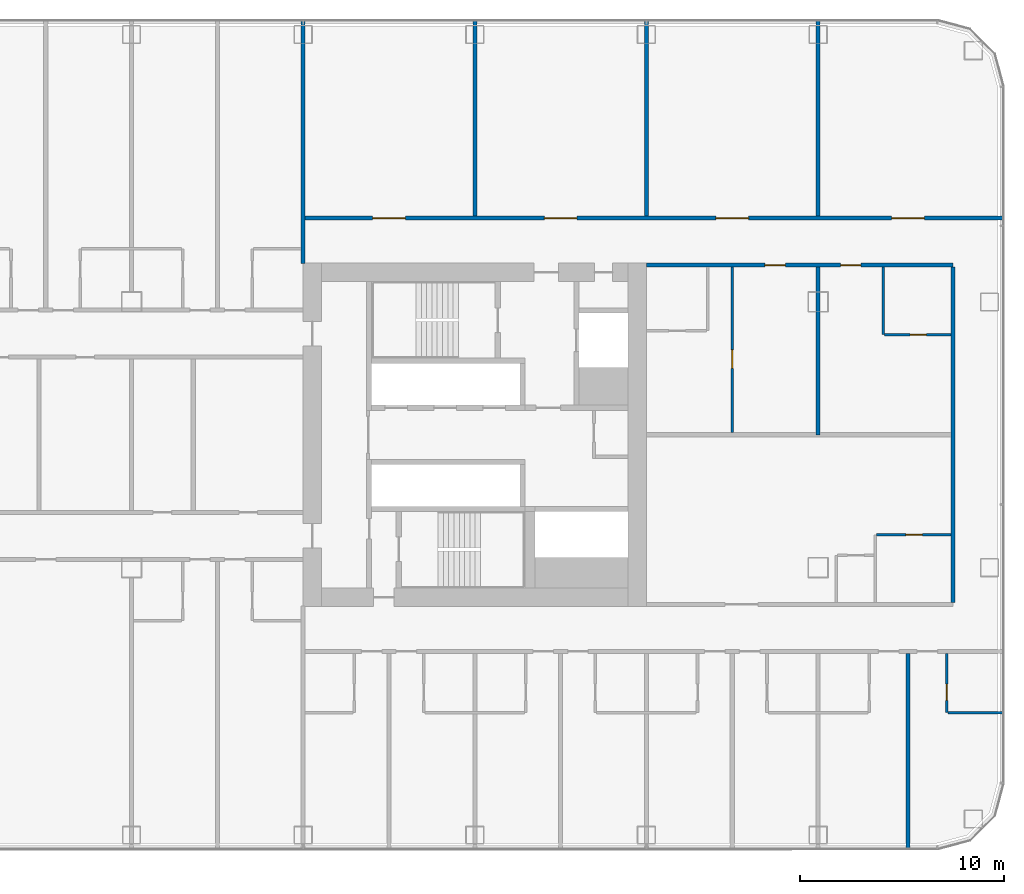
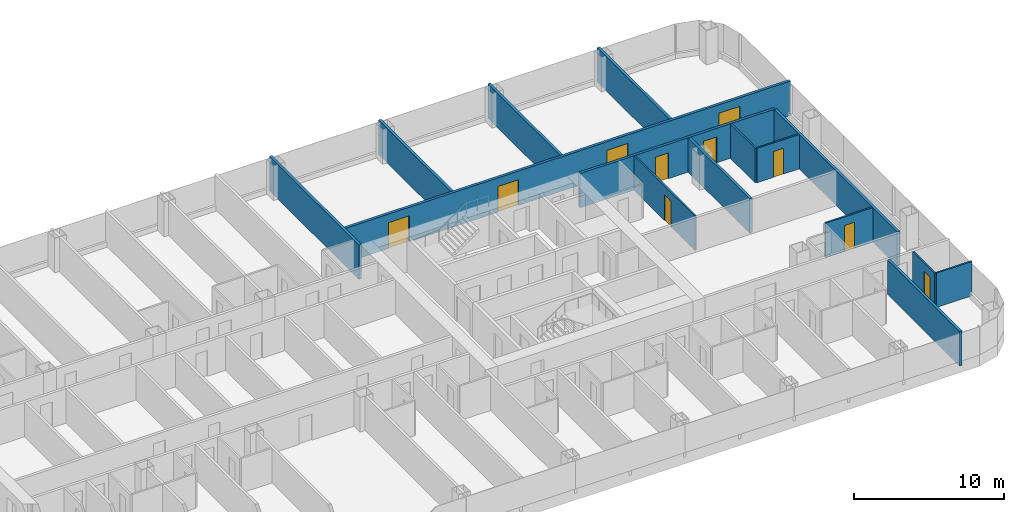
# One storey, part 20 of 29: 15 walls, 10 doors, 10 openings.
"""IFC4 building model written with IfcOpenShell, lengths in metres."""

from ifc_helpers import new_model, si_unit, direction, frame, frame_2d, origin, place, context, subcontext, project, spatial, rectangle, extrude, material, layer, layer_set, type_object, element, fill, save


model = new_model("IFC4")

# Units and contexts
model_context = context("Model", 3, precision=1e-05, world=origin(), true_north=direction((0.0, 1.0)))
body_context = subcontext(model_context, "Body", "Model", "MODEL_VIEW")
ifc_project = project(units=[si_unit("LENGTHUNIT", "METRE"), si_unit("AREAUNIT", "SQUARE_METRE"), si_unit("VOLUMEUNIT", "CUBIC_METRE"), si_unit("PLANEANGLEUNIT", "RADIAN"), si_unit("MASSUNIT", "GRAM", prefix="KILO")], contexts=[model_context])

# Site, building, storey
site_placement = place(None, origin())
site = spatial("IfcSite", under=ifc_project, at=site_placement, CompositionType="ELEMENT")
building_placement = place(site_placement, origin())
building = spatial("IfcBuilding", under=site, at=building_placement, Name="Hakoniwa Tower and Hamabe Station Hall", CompositionType="ELEMENT")
storey_placement = place(building_placement, frame((0.0, 0.0, 23.0)))
storey = spatial("IfcBuildingStorey", under=building, at=storey_placement, Name="L05", CompositionType="ELEMENT", Elevation=23.0)

# Wall
ifc_material_1 = material(Name="Gypsum board partition", Category="gypsum")
ifc_layer_1 = layer(ifc_material_1, 0.125)
ifc_layer_set_1 = layer_set([ifc_layer_1], Name="Bathroom Partition 125")
wall_type_1 = type_object("IfcWallType", Name="Bathroom Partition 125", PredefinedType="PARTITIONING", material=ifc_layer_set_1)
wall_1_placement = place(storey_placement, frame((48.362548828125, -13.60009765625, 0.0), z_axis=(0.0, 0.0, 1.0), x_axis=(1.0, 0.0, 0.0)))
element("IfcWall", 1, at=wall_1_placement, inside=storey, type_object=wall_type_1, Name="GW-L05-010", PredefinedType="PARTITIONING", context=body_context, shape_type="SweptSolid", body=[
    extrude(rectangle(XDim=2.737548828125, YDim=0.125, at=frame_2d((1.36865234375, 0.0))), origin(), (0.0, 0.0, 1.0), 2.800048828125),
])

# Wall, opening, door
wall_2_placement = place(storey_placement, frame((44.862548828125, -4.89990234375, 0.0), z_axis=(0.0, 0.0, 1.0), x_axis=(1.0, 0.0, 0.0)))
wall_2 = element("IfcWall", 2, at=wall_2_placement, inside=storey, type_object=wall_type_1, Name="GW-L05-023", PredefinedType="PARTITIONING", context=body_context, shape_type="SweptSolid", body=[
    extrude(rectangle(XDim=3.637451171875, YDim=0.125, at=frame_2d((1.81884765625, 0.0))), origin(), (0.0, 0.0, 1.0), 2.800048828125),
])
opening_1_placement = place(wall_2_placement, frame((1.4375, 0.0, 0.0)))
opening_1 = element("IfcOpeningElement", 3, at=opening_1_placement, cuts=wall_2, Name="Opening GD-G1B0-29", PredefinedType="OPENING", context=body_context, shape_type="SweptSolid", body=[
    extrude(rectangle(XDim=0.800048828125, YDim=2.10009765625, at=frame_2d((0.39990234375, 1.050048828125))), frame((0.0, 0.072509765625, 0.0), z_axis=(0.0, -1.0, 0.0), x_axis=(1.0, 0.0, 0.0)), (0.0, 0.0, 1.0), 0.14501953125),
])
ifc_material_2 = material(Name="Timber door leaf", Category="wood")
door_type_1 = type_object("IfcDoorType", Name="Bathroom Door 800", OperationType="SINGLE_SWING_LEFT", PredefinedType="DOOR", material=ifc_material_2)
door_1_placement = place(opening_1_placement, origin())
door_1 = element("IfcDoor", 4, at=door_1_placement, inside=storey, type_object=door_type_1, Name="Door GD-G1B0-29", OperationType="SINGLE_SWING_LEFT", OverallHeight=2.10009765625, OverallWidth=0.800048828125, PredefinedType="DOOR", context=body_context, shape_type="SweptSolid", body=[
    extrude(rectangle(XDim=0.800048828125, YDim=2.10009765625, at=frame_2d((0.39990234375, 1.050048828125))), frame((0.0, 0.02490234375, 0.0), z_axis=(0.0, -1.0, 0.0), x_axis=(1.0, 0.0, 0.0)), (0.0, 0.0, 1.0), 0.050048828125),
])
fill(opening_1, door_1)

wall_3_placement = place(storey_placement, frame((45.262451171875, 4.89990234375, 0.0), z_axis=(0.0, 0.0, 1.0), x_axis=(1.0, 0.0, 0.0)))
wall_3 = element("IfcWall", 5, at=wall_3_placement, inside=storey, type_object=wall_type_1, Name="GW-L05-029", PredefinedType="PARTITIONING", context=body_context, shape_type="SweptSolid", body=[
    extrude(rectangle(XDim=3.237548828125, YDim=0.125, at=frame_2d((1.61865234375, 0.0))), origin(), (0.0, 0.0, 1.0), 2.800048828125),
])
opening_2_placement = place(wall_3_placement, frame((1.237548828125, 0.0, 0.0)))
opening_2 = element("IfcOpeningElement", 6, at=opening_2_placement, cuts=wall_3, Name="Opening GD-G1B0-39", PredefinedType="OPENING", context=body_context, shape_type="SweptSolid", body=[
    extrude(rectangle(XDim=0.800048828125, YDim=2.10009765625, at=frame_2d((0.39990234375, 1.050048828125))), frame((0.0, 0.072509765625, 0.0), z_axis=(0.0, -1.0, 0.0), x_axis=(1.0, 0.0, 0.0)), (0.0, 0.0, 1.0), 0.14501953125),
])
door_2_placement = place(opening_2_placement, origin())
door_2 = element("IfcDoor", 7, at=door_2_placement, inside=storey, type_object=door_type_1, Name="Door GD-G1B0-39", OperationType="SINGLE_SWING_LEFT", OverallHeight=2.10009765625, OverallWidth=0.800048828125, PredefinedType="DOOR", context=body_context, shape_type="SweptSolid", body=[
    extrude(rectangle(XDim=0.800048828125, YDim=2.10009765625, at=frame_2d((0.39990234375, 1.050048828125))), frame((0.0, 0.02490234375, 0.0), z_axis=(0.0, -1.0, 0.0), x_axis=(1.0, 0.0, 0.0)), (0.0, 0.0, 1.0), 0.050048828125),
])
fill(opening_2, door_2)

# Wall
wall_4_placement = place(storey_placement, frame((45.199951171875, 4.89990234375, 0.0), z_axis=(0.0, 0.0, 1.0), x_axis=(0.0, 1.0, 0.0)))
element("IfcWall", 8, at=wall_4_placement, inside=storey, type_object=wall_type_1, Name="GW-L05-136", PredefinedType="PARTITIONING", context=body_context, shape_type="SweptSolid", body=[
    extrude(rectangle(XDim=3.300048828125, YDim=0.125, at=frame_2d((1.64990234375, 0.0))), origin(), (0.0, 0.0, 1.0), 2.800048828125),
])

# Wall, opening, door
wall_5_placement = place(storey_placement, frame((48.300048828125, -13.60009765625, 0.0), z_axis=(0.0, 0.0, 1.0), x_axis=(0.0, 1.0, 0.0)))
wall_5 = element("IfcWall", 9, at=wall_5_placement, inside=storey, type_object=wall_type_1, Name="GW-L05-138", PredefinedType="PARTITIONING", context=body_context, shape_type="SweptSolid", body=[
    extrude(rectangle(XDim=2.900146484375, YDim=0.125, at=frame_2d((1.4501953125, 0.0))), origin(), (0.0, 0.0, 1.0), 2.800048828125),
])
opening_3_placement = place(wall_5_placement, frame((0.60009765625, 0.0, 0.0)))
opening_3 = element("IfcOpeningElement", 10, at=opening_3_placement, cuts=wall_5, Name="Opening GD-G1B0-98", PredefinedType="OPENING", context=body_context, shape_type="SweptSolid", body=[
    extrude(rectangle(XDim=0.800048828125, YDim=2.10009765625, at=frame_2d((0.39990234375, 1.050048828125))), frame((0.0, 0.072509765625, 0.0), z_axis=(0.0, -1.0, 0.0), x_axis=(1.0, 0.0, 0.0)), (0.0, 0.0, 1.0), 0.14501953125),
])
door_3_placement = place(opening_3_placement, origin())
door_3 = element("IfcDoor", 11, at=door_3_placement, inside=storey, type_object=door_type_1, Name="Door GD-G1B0-98", OperationType="SINGLE_SWING_LEFT", OverallHeight=2.10009765625, OverallWidth=0.800048828125, PredefinedType="DOOR", context=body_context, shape_type="SweptSolid", body=[
    extrude(rectangle(XDim=0.800048828125, YDim=2.10009765625, at=frame_2d((0.39990234375, 1.050048828125))), frame((0.0, 0.02490234375, 0.0), z_axis=(0.0, -1.0, 0.0), x_axis=(1.0, 0.0, 0.0)), (0.0, 0.0, 1.0), 0.050048828125),
])
fill(opening_3, door_3)

# Wall, openings, doors
ifc_material_3 = material(Name="Fire-rated gypsum board partition", Category="gypsum")
ifc_layer_2 = layer(ifc_material_3, 0.199951171875)
ifc_layer_set_2 = layer_set([ifc_layer_2], Name="Corridor Wall 200")
wall_type_2 = type_object("IfcWallType", Name="Corridor Wall 200", PredefinedType="PARTITIONING", material=ifc_layer_set_2)
wall_6_placement = place(storey_placement, frame((33.60009765625, 8.300048828125, 0.0), z_axis=(0.0, 0.0, 1.0), x_axis=(1.0, 0.0, 0.0)))
wall_6 = element("IfcWall", 12, at=wall_6_placement, inside=storey, type_object=wall_type_2, Name="GW-L05-034", PredefinedType="PARTITIONING", context=body_context, shape_type="SweptSolid", body=[
    extrude(rectangle(XDim=15.0, YDim=0.199951171875, at=frame_2d((7.5, 0.0))), origin(), (0.0, 0.0, 1.0), 2.800048828125),
])
opening_4_placement = place(wall_6_placement, frame((5.800048828125, 0.0, 0.0)))
opening_4 = element("IfcOpeningElement", 13, at=opening_4_placement, cuts=wall_6, Name="Opening GD-G1B0-51", PredefinedType="OPENING", context=body_context, shape_type="SweptSolid", body=[
    extrude(rectangle(XDim=1.0, YDim=2.10009765625, at=frame_2d((0.5, 1.050048828125))), frame((0.0, 0.10986328125, 0.0), z_axis=(0.0, -1.0, 0.0), x_axis=(1.0, 0.0, 0.0)), (0.0, 0.0, 1.0), 0.219970703125),
])
opening_5_placement = place(wall_6_placement, frame((9.5, 0.0, 0.0)))
opening_5 = element("IfcOpeningElement", 14, at=opening_5_placement, cuts=wall_6, Name="Opening GD-G1B0-52", PredefinedType="OPENING", context=body_context, shape_type="SweptSolid", body=[
    extrude(rectangle(XDim=1.0, YDim=2.10009765625, at=frame_2d((0.5, 1.050048828125))), frame((0.0, 0.10986328125, 0.0), z_axis=(0.0, -1.0, 0.0), x_axis=(1.0, 0.0, 0.0)), (0.0, 0.0, 1.0), 0.219970703125),
])
ifc_material_4 = material(Name="Timber door leaf", Category="wood")
door_type_2 = type_object("IfcDoorType", Name="Guest Entrance Door 1000", OperationType="SINGLE_SWING_LEFT", PredefinedType="DOOR", material=ifc_material_4)
door_4_placement = place(opening_4_placement, origin())
door_4 = element("IfcDoor", 15, at=door_4_placement, inside=storey, type_object=door_type_2, Name="Door GD-G1B0-51", OperationType="SINGLE_SWING_LEFT", OverallHeight=2.10009765625, OverallWidth=1.0, PredefinedType="DOOR", context=body_context, shape_type="SweptSolid", body=[
    extrude(rectangle(XDim=1.0, YDim=2.10009765625, at=frame_2d((0.5, 1.050048828125))), frame((0.0, 0.02490234375, 0.0), z_axis=(0.0, -1.0, 0.0), x_axis=(1.0, 0.0, 0.0)), (0.0, 0.0, 1.0), 0.050048828125),
])
fill(opening_4, door_4)
door_5_placement = place(opening_5_placement, origin())
door_5 = element("IfcDoor", 16, at=door_5_placement, inside=storey, type_object=door_type_2, Name="Door GD-G1B0-52", OperationType="SINGLE_SWING_LEFT", OverallHeight=2.10009765625, OverallWidth=1.0, PredefinedType="DOOR", context=body_context, shape_type="SweptSolid", body=[
    extrude(rectangle(XDim=1.0, YDim=2.10009765625, at=frame_2d((0.5, 1.050048828125))), frame((0.0, 0.02490234375, 0.0), z_axis=(0.0, -1.0, 0.0), x_axis=(1.0, 0.0, 0.0)), (0.0, 0.0, 1.0), 0.050048828125),
])
fill(opening_5, door_5)

wall_7_placement = place(storey_placement, frame((16.800048828125, 10.60009765625, 0.0), z_axis=(0.0, 0.0, 1.0), x_axis=(1.0, 0.0, 0.0)))
wall_7 = element("IfcWall", 17, at=wall_7_placement, inside=storey, type_object=wall_type_2, Name="GW-L05-041", PredefinedType="PARTITIONING", context=body_context, shape_type="SweptSolid", body=[
    extrude(rectangle(XDim=34.300048828125, YDim=0.199951171875, at=frame_2d((17.14990234375, 0.0))), origin(), (0.0, 0.0, 1.0), 2.800048828125),
])
opening_6_placement = place(wall_7_placement, frame((3.39990234375, 0.0, 0.0)))
opening_6 = element("IfcOpeningElement", 18, at=opening_6_placement, cuts=wall_7, Name="Opening GD-G1B0-60", PredefinedType="OPENING", context=body_context, shape_type="SweptSolid", body=[
    extrude(rectangle(XDim=1.60009765625, YDim=2.10009765625, at=frame_2d((0.800048828125, 1.050048828125))), frame((0.0, 0.10986328125, 0.0), z_axis=(0.0, -1.0, 0.0), x_axis=(1.0, 0.0, 0.0)), (0.0, 0.0, 1.0), 0.219970703125),
])
opening_7_placement = place(wall_7_placement, frame((11.800048828125, 0.0, 0.0)))
opening_7 = element("IfcOpeningElement", 19, at=opening_7_placement, cuts=wall_7, Name="Opening GD-G1B0-61", PredefinedType="OPENING", context=body_context, shape_type="SweptSolid", body=[
    extrude(rectangle(XDim=1.60009765625, YDim=2.10009765625, at=frame_2d((0.800048828125, 1.050048828125))), frame((0.0, 0.10986328125, 0.0), z_axis=(0.0, -1.0, 0.0), x_axis=(1.0, 0.0, 0.0)), (0.0, 0.0, 1.0), 0.219970703125),
])
opening_8_placement = place(wall_7_placement, frame((20.199951171875, 0.0, 0.0)))
opening_8 = element("IfcOpeningElement", 20, at=opening_8_placement, cuts=wall_7, Name="Opening GD-G1B0-62", PredefinedType="OPENING", context=body_context, shape_type="SweptSolid", body=[
    extrude(rectangle(XDim=1.60009765625, YDim=2.10009765625, at=frame_2d((0.800048828125, 1.050048828125))), frame((0.0, 0.10986328125, 0.0), z_axis=(0.0, -1.0, 0.0), x_axis=(1.0, 0.0, 0.0)), (0.0, 0.0, 1.0), 0.219970703125),
])
opening_9_placement = place(wall_7_placement, frame((28.800048828125, 0.0, 0.0)))
opening_9 = element("IfcOpeningElement", 21, at=opening_9_placement, cuts=wall_7, Name="Opening GD-G1B0-63", PredefinedType="OPENING", context=body_context, shape_type="SweptSolid", body=[
    extrude(rectangle(XDim=1.60009765625, YDim=2.10009765625, at=frame_2d((0.800048828125, 1.050048828125))), frame((0.0, 0.10986328125, 0.0), z_axis=(0.0, -1.0, 0.0), x_axis=(1.0, 0.0, 0.0)), (0.0, 0.0, 1.0), 0.219970703125),
])
ifc_material_5 = material(Name="Timber door leaf", Category="wood")
door_type_3 = type_object("IfcDoorType", Name="Double Door 1600", OperationType="DOUBLE_DOOR_SINGLE_SWING", PredefinedType="DOOR", material=ifc_material_5)
door_6_placement = place(opening_6_placement, origin())
door_6 = element("IfcDoor", 22, at=door_6_placement, inside=storey, type_object=door_type_3, Name="Door GD-G1B0-60", OperationType="DOUBLE_DOOR_SINGLE_SWING", OverallHeight=2.10009765625, OverallWidth=1.60009765625, PredefinedType="DOOR", context=body_context, shape_type="SweptSolid", body=[
    extrude(rectangle(XDim=1.60009765625, YDim=2.10009765625, at=frame_2d((0.800048828125, 1.050048828125))), frame((0.0, 0.02490234375, 0.0), z_axis=(0.0, -1.0, 0.0), x_axis=(1.0, 0.0, 0.0)), (0.0, 0.0, 1.0), 0.050048828125),
])
fill(opening_6, door_6)
door_7_placement = place(opening_7_placement, origin())
door_7 = element("IfcDoor", 23, at=door_7_placement, inside=storey, type_object=door_type_3, Name="Door GD-G1B0-61", OperationType="DOUBLE_DOOR_SINGLE_SWING", OverallHeight=2.10009765625, OverallWidth=1.60009765625, PredefinedType="DOOR", context=body_context, shape_type="SweptSolid", body=[
    extrude(rectangle(XDim=1.60009765625, YDim=2.10009765625, at=frame_2d((0.800048828125, 1.050048828125))), frame((0.0, 0.02490234375, 0.0), z_axis=(0.0, -1.0, 0.0), x_axis=(1.0, 0.0, 0.0)), (0.0, 0.0, 1.0), 0.050048828125),
])
fill(opening_7, door_7)
door_8_placement = place(opening_8_placement, origin())
door_8 = element("IfcDoor", 24, at=door_8_placement, inside=storey, type_object=door_type_3, Name="Door GD-G1B0-62", OperationType="DOUBLE_DOOR_SINGLE_SWING", OverallHeight=2.10009765625, OverallWidth=1.60009765625, PredefinedType="DOOR", context=body_context, shape_type="SweptSolid", body=[
    extrude(rectangle(XDim=1.60009765625, YDim=2.10009765625, at=frame_2d((0.800048828125, 1.050048828125))), frame((0.0, 0.02490234375, 0.0), z_axis=(0.0, -1.0, 0.0), x_axis=(1.0, 0.0, 0.0)), (0.0, 0.0, 1.0), 0.050048828125),
])
fill(opening_8, door_8)
door_9_placement = place(opening_9_placement, origin())
door_9 = element("IfcDoor", 25, at=door_9_placement, inside=storey, type_object=door_type_3, Name="Door GD-G1B0-63", OperationType="DOUBLE_DOOR_SINGLE_SWING", OverallHeight=2.10009765625, OverallWidth=1.60009765625, PredefinedType="DOOR", context=body_context, shape_type="SweptSolid", body=[
    extrude(rectangle(XDim=1.60009765625, YDim=2.10009765625, at=frame_2d((0.800048828125, 1.050048828125))), frame((0.0, 0.02490234375, 0.0), z_axis=(0.0, -1.0, 0.0), x_axis=(1.0, 0.0, 0.0)), (0.0, 0.0, 1.0), 0.050048828125),
])
fill(opening_9, door_9)

# Walls
ifc_material_6 = material(Name="Fire-rated gypsum board partition", Category="gypsum")
ifc_layer_3 = layer(ifc_material_6, 0.199951171875)
ifc_layer_set_3 = layer_set([ifc_layer_3], Name="Party Wall 200")
wall_type_3 = type_object("IfcWallType", Name="Party Wall 200", PredefinedType="PARTITIONING", material=ifc_layer_set_3)
wall_8_placement = place(storey_placement, frame((16.800048828125, 8.389892578125, 0.0), z_axis=(0.0, 0.0, 1.0), x_axis=(0.0, 1.0, 0.0)))
element("IfcWall", 26, at=wall_8_placement, inside=storey, type_object=wall_type_3, Name="GW-L05-114", PredefinedType="PARTITIONING", context=body_context, shape_type="SweptSolid", body=[
    extrude(rectangle(XDim=11.91015625, YDim=0.199951171875, at=frame_2d((5.955078125, 0.0))), origin(), (0.0, 0.0, 1.0), 2.800048828125),
])
for number, where, z_axis, x_axis, name in (
    (27, (25.199951171875, 10.699951171875, 0.0), (0.0, 0.0, 1.0), (0.0, 1.0, 0.0), "GW-L05-119"),
    (28, (33.60009765625, 10.699951171875, 0.0), (0.0, 0.0, 1.0), (0.0, 1.0, 0.0), "GW-L05-124"),
):
    element("IfcWall", number, at=place(storey_placement, frame(where, z_axis=z_axis, x_axis=x_axis)), inside=storey, type_object=wall_type_3, Name=name, PredefinedType="PARTITIONING", context=body_context, shape_type="SweptSolid", body=[
        extrude(rectangle(XDim=9.60009765625, YDim=0.199951171875, at=frame_2d((4.800048828125, 0.0))), origin(), (0.0, 0.0, 1.0), 2.800048828125),
    ])
wall_9_placement = place(storey_placement, frame((42.0, 0.0, 0.0), z_axis=(0.0, 0.0, 1.0), x_axis=(0.0, 1.0, 0.0)))
element("IfcWall", 29, at=wall_9_placement, inside=storey, type_object=wall_type_3, Name="GW-L05-131", PredefinedType="PARTITIONING", context=body_context, shape_type="SweptSolid", body=[
    extrude(rectangle(XDim=8.199951171875, YDim=0.199951171875, at=frame_2d((4.10009765625, 0.0))), origin(), (0.0, 0.0, 1.0), 2.800048828125),
])
for number, where, z_axis, x_axis, name in (
    (30, (42.0, 10.699951171875, 0.0), (0.0, 0.0, 1.0), (0.0, 1.0, 0.0), "GW-L05-132"),
    (31, (46.39990234375, -20.300048828125, 0.0), (0.0, 0.0, 1.0), (0.0, 1.0, 0.0), "GW-L05-137"),
):
    element("IfcWall", number, at=place(storey_placement, frame(where, z_axis=z_axis, x_axis=x_axis)), inside=storey, type_object=wall_type_3, Name=name, PredefinedType="PARTITIONING", context=body_context, shape_type="SweptSolid", body=[
        extrude(rectangle(XDim=9.60009765625, YDim=0.199951171875, at=frame_2d((4.800048828125, 0.0))), origin(), (0.0, 0.0, 1.0), 2.800048828125),
    ])
wall_10_placement = place(storey_placement, frame((48.60009765625, -8.199951171875, 0.0), z_axis=(0.0, 0.0, 1.0), x_axis=(0.0, 1.0, 0.0)))
element("IfcWall", 32, at=wall_10_placement, inside=storey, type_object=wall_type_3, Name="GW-L05-139", PredefinedType="PARTITIONING", context=body_context, shape_type="SweptSolid", body=[
    extrude(rectangle(XDim=16.39990234375, YDim=0.199951171875, at=frame_2d((8.199951171875, 0.0))), origin(), (0.0, 0.0, 1.0), 2.800048828125),
])

# Wall, opening, door
ifc_material_7 = material(Name="Gypsum board partition", Category="gypsum")
ifc_layer_4 = layer(ifc_material_7, 0.125)
ifc_layer_set_4 = layer_set([ifc_layer_4], Name="Room Partition 125")
wall_type_4 = type_object("IfcWallType", Name="Room Partition 125", PredefinedType="PARTITIONING", material=ifc_layer_set_4)
wall_11_placement = place(storey_placement, frame((37.800048828125, 0.10009765625, 0.0), z_axis=(0.0, 0.0, 1.0), x_axis=(0.0, 1.0, 0.0)))
wall_11 = element("IfcWall", 33, at=wall_11_placement, inside=storey, type_object=wall_type_4, Name="GW-L05-128", PredefinedType="PARTITIONING", context=body_context, shape_type="SweptSolid", body=[
    extrude(rectangle(XDim=8.099853515625, YDim=0.125, at=frame_2d((4.0498046875, 0.0))), origin(), (0.0, 0.0, 1.0), 2.800048828125),
])
opening_10_placement = place(wall_11_placement, frame((3.14990234375, 0.0, 0.0)))
opening_10 = element("IfcOpeningElement", 34, at=opening_10_placement, cuts=wall_11, Name="Opening GD-G1B0-95", PredefinedType="OPENING", context=body_context, shape_type="SweptSolid", body=[
    extrude(rectangle(XDim=0.89990234375, YDim=2.10009765625, at=frame_2d((0.449951171875, 1.050048828125))), frame((0.0, 0.072509765625, 0.0), z_axis=(0.0, -1.0, 0.0), x_axis=(1.0, 0.0, 0.0)), (0.0, 0.0, 1.0), 0.14501953125),
])
ifc_material_8 = material(Name="Timber door leaf", Category="wood")
door_type_4 = type_object("IfcDoorType", Name="Suite Interior Door 900", OperationType="SINGLE_SWING_LEFT", PredefinedType="DOOR", material=ifc_material_8)
door_10_placement = place(opening_10_placement, origin())
door_10 = element("IfcDoor", 35, at=door_10_placement, inside=storey, type_object=door_type_4, Name="Door GD-G1B0-95", OperationType="SINGLE_SWING_LEFT", OverallHeight=2.10009765625, OverallWidth=0.89990234375, PredefinedType="DOOR", context=body_context, shape_type="SweptSolid", body=[
    extrude(rectangle(XDim=0.89990234375, YDim=2.10009765625, at=frame_2d((0.449951171875, 1.050048828125))), frame((0.0, 0.02490234375, 0.0), z_axis=(0.0, -1.0, 0.0), x_axis=(1.0, 0.0, 0.0)), (0.0, 0.0, 1.0), 0.050048828125),
])
fill(opening_10, door_10)

save(model, "model.ifc")
